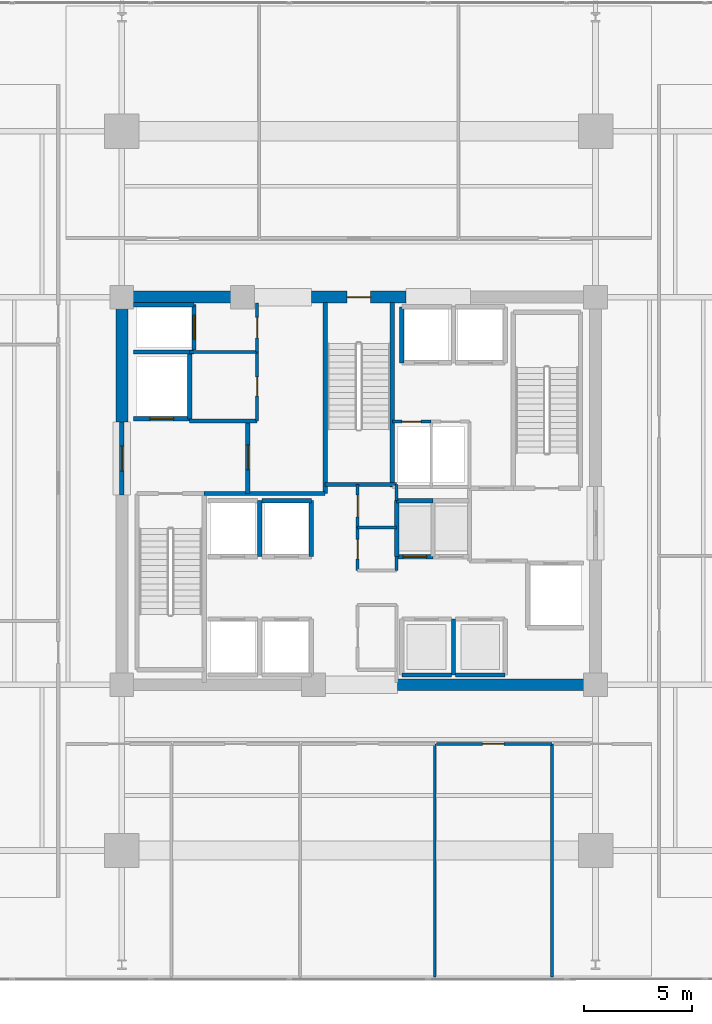
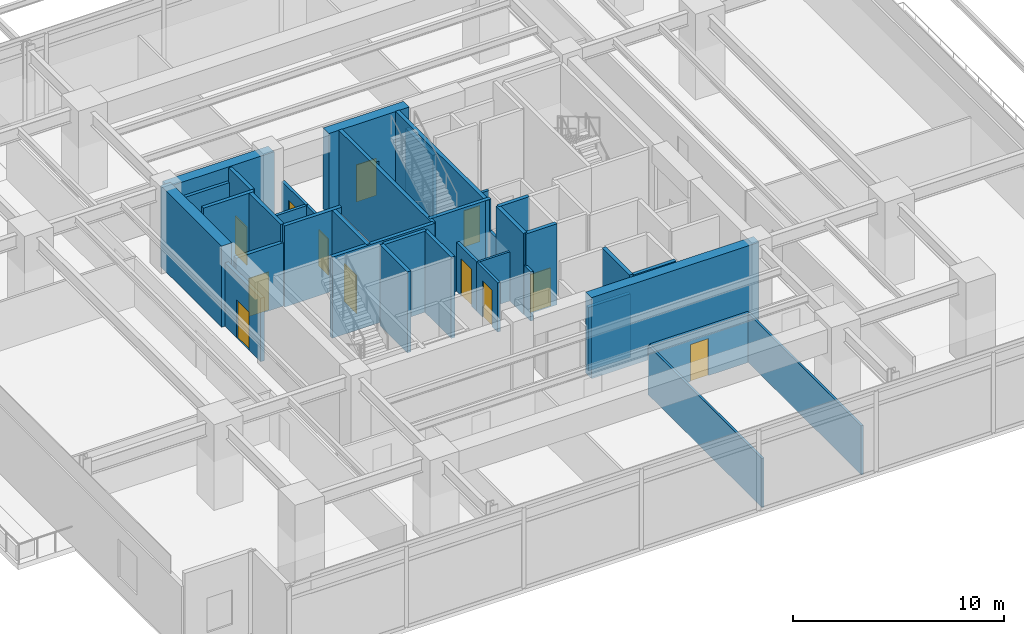
# One storey, part 17 of 24: 38 walls, 12 doors, 12 openings.
"""IFC4 building model written with IfcOpenShell, lengths in metres."""

from ifc_helpers import new_model, si_unit, direction, frame, frame_2d, origin, place, context, subcontext, project, spatial, rectangle, extrude, material, layer, layer_set, type_object, element, fill, save


model = new_model("IFC4")

# Units and contexts
model_context = context("Model", 3, precision=1e-05, world=origin(), true_north=direction((0.0, 1.0)))
body_context = subcontext(model_context, "Body", "Model", "MODEL_VIEW")
ifc_project = project(units=[si_unit("LENGTHUNIT", "METRE"), si_unit("AREAUNIT", "SQUARE_METRE"), si_unit("VOLUMEUNIT", "CUBIC_METRE"), si_unit("PLANEANGLEUNIT", "RADIAN"), si_unit("MASSUNIT", "GRAM", prefix="KILO")], contexts=[model_context])

# Site, building, storey
site_placement = place(None, origin())
site = spatial("IfcSite", under=ifc_project, at=site_placement, CompositionType="ELEMENT")
building_placement = place(site_placement, origin())
building = spatial("IfcBuilding", under=site, at=building_placement, Name="Kovane Verandah Tower", CompositionType="ELEMENT")
storey_placement = place(building_placement, frame((0.0, 0.0, 118.39990234375)))
storey = spatial("IfcBuildingStorey", under=building, at=storey_placement, Name="L27", CompositionType="ELEMENT", Elevation=118.39990234375)

# Walls
ifc_material_1 = material(Name="Fire-Rated Gypsum Stud Partition", Category="gypsum")
ifc_layer_1 = layer(ifc_material_1, 0.14990234375)
ifc_layer_set_1 = layer_set([ifc_layer_1], Name="Fire-Rated Gypsum Stud Partition")
wall_type_1 = type_object("IfcWallType", Name="WL-COR-150", PredefinedType="PARTITIONING", material=ifc_layer_set_1)
wall_1_placement = place(storey_placement, frame((41.760009765625, 23.800048828125, 0.0), z_axis=(0.0, 0.0, 1.0), x_axis=(0.0, 1.0, 0.0)))
element("IfcWall", 1, at=wall_1_placement, inside=storey, type_object=wall_type_1, Name="L27 Central Core Strip Middle East Wall", PredefinedType="PARTITIONING", context=body_context, shape_type="SweptSolid", body=[
    extrude(rectangle(XDim=0.64990234375, YDim=0.14990234375, at=frame_2d((0.324951171875, 0.0))), origin(), (0.0, 0.0, 1.0), 2.85009765625),
])
wall_2_placement = place(storey_placement, frame((41.760009765625, 27.050048828125, 0.0), z_axis=(0.0, 0.0, 1.0), x_axis=(0.0, 1.0, 0.0)))
element("IfcWall", 2, at=wall_2_placement, inside=storey, type_object=wall_type_1, Name="L27 Central Core Strip Upper East Wall", PredefinedType="PARTITIONING", context=body_context, shape_type="SweptSolid", body=[
    extrude(rectangle(XDim=0.75, YDim=0.14990234375, at=frame_2d((0.375, 0.0))), origin(), (0.0, 0.0, 1.0), 2.85009765625),
])

# Wall, opening, door
wall_3_placement = place(storey_placement, frame((39.949951171875, 23.800048828125, 0.0), z_axis=(0.0, 0.0, 1.0), x_axis=(0.0, 1.0, 0.0)))
wall_3 = element("IfcWall", 3, at=wall_3_placement, inside=storey, type_object=wall_type_1, Name="L27 Female Toilet Partition", PredefinedType="PARTITIONING", context=body_context, shape_type="SweptSolid", body=[
    extrude(rectangle(XDim=2.0, YDim=0.14990234375, at=frame_2d((1.0, 0.0))), origin(), (0.0, 0.0, 1.0), 2.85009765625),
])
opening_1_placement = place(wall_3_placement, frame((0.550048828125, 0.0, 0.0)))
opening_1 = element("IfcOpeningElement", 4, at=opening_1_placement, cuts=wall_3, Name="Opening DR-L27-026", PredefinedType="OPENING", context=body_context, shape_type="SweptSolid", body=[
    extrude(rectangle(XDim=0.89990234375, YDim=2.10009765625, at=frame_2d((0.449951171875, 1.050048828125))), frame((0.0, 0.074951171875, 0.0), z_axis=(0.0, -1.0, 0.0), x_axis=(1.0, 0.0, 0.0)), (0.0, 0.0, 1.0), 0.14990234375),
])
ifc_material_2 = material(Name="Moisture-Resistant Laminate Washroom Door", Category="wood")
door_type_1 = type_object("IfcDoorType", Name="DR-WC-900", OperationType="SINGLE_SWING_LEFT", PredefinedType="DOOR", material=ifc_material_2)
door_1_placement = place(opening_1_placement, origin())
door_1 = element("IfcDoor", 5, at=door_1_placement, inside=storey, type_object=door_type_1, Name="L27 Female Toilet Door", OperationType="SINGLE_SWING_LEFT", OverallHeight=2.10009765625, OverallWidth=0.89990234375, PredefinedType="DOOR", context=body_context, shape_type="SweptSolid", body=[
    extrude(rectangle(XDim=0.89990234375, YDim=2.10009765625, at=frame_2d((0.449951171875, 1.050048828125))), frame((0.0, 0.02490234375, 0.0), z_axis=(0.0, -1.0, 0.0), x_axis=(1.0, 0.0, 0.0)), (0.0, 0.0, 1.0), 0.050048828125),
])
fill(opening_1, door_1)

wall_4_placement = place(storey_placement, frame((39.949951171875, 25.800048828125, 0.0), z_axis=(0.0, 0.0, 1.0), x_axis=(0.0, 1.0, 0.0)))
wall_4 = element("IfcWall", 6, at=wall_4_placement, inside=storey, type_object=wall_type_1, Name="L27 Central First Aid and Wellness Room Partition", PredefinedType="PARTITIONING", context=body_context, shape_type="SweptSolid", body=[
    extrude(rectangle(XDim=2.0, YDim=0.14990234375, at=frame_2d((1.0, 0.0))), origin(), (0.0, 0.0, 1.0), 2.85009765625),
])
opening_2_placement = place(wall_4_placement, frame((0.5, 0.0, 0.0)))
opening_2 = element("IfcOpeningElement", 7, at=opening_2_placement, cuts=wall_4, Name="Opening DR-L27-024", PredefinedType="OPENING", context=body_context, shape_type="SweptSolid", body=[
    extrude(rectangle(XDim=1.0, YDim=2.14990234375, at=frame_2d((0.5, 1.074951171875))), frame((0.0, 0.074951171875, 0.0), z_axis=(0.0, -1.0, 0.0), x_axis=(1.0, 0.0, 0.0)), (0.0, 0.0, 1.0), 0.14990234375),
])
ifc_material_3 = material(Name="FSC Spotted-Gum Timber Fire-Rated Office Door", Category="wood")
door_type_2 = type_object("IfcDoorType", Name="DR-OFF-1000", OperationType="SINGLE_SWING_LEFT", PredefinedType="DOOR", material=ifc_material_3)
door_2_placement = place(opening_2_placement, origin())
door_2 = element("IfcDoor", 8, at=door_2_placement, inside=storey, type_object=door_type_2, Name="L27 Central First Aid and Wellness Room Door", OperationType="SINGLE_SWING_RIGHT", OverallHeight=2.14990234375, OverallWidth=1.0, PredefinedType="DOOR", context=body_context, shape_type="SweptSolid", body=[
    extrude(rectangle(XDim=1.0, YDim=2.14990234375, at=frame_2d((0.5, 1.074951171875))), frame((0.0, 0.02490234375, 0.0), z_axis=(0.0, -1.0, 0.0), x_axis=(1.0, 0.0, 0.0)), (0.0, 0.0, 1.0), 0.050048828125),
])
fill(opening_2, door_2)

# Wall
wall_5_placement = place(storey_placement, frame((32.14990234375, 33.949951171875, 0.0), z_axis=(0.0, 0.0, 1.0), x_axis=(1.0, 0.0, 0.0)))
element("IfcWall", 9, at=wall_5_placement, inside=storey, type_object=wall_type_1, Name="L27 Goods Lift Lobby South Wall", PredefinedType="PARTITIONING", context=body_context, shape_type="SweptSolid", body=[
    extrude(rectangle(XDim=3.130126953125, YDim=0.14990234375, at=frame_2d((1.56494140625, 0.0))), origin(), (0.0, 0.0, 1.0), 2.85009765625),
])

# Wall, opening, door
wall_6_placement = place(storey_placement, frame((35.280029296875, 33.949951171875, 0.0), z_axis=(0.0, 0.0, 1.0), x_axis=(0.0, 1.0, 0.0)))
wall_6 = element("IfcWall", 10, at=wall_6_placement, inside=storey, type_object=wall_type_1, Name="L27 Goods Lift Lobby East Fire Partition", PredefinedType="PARTITIONING", context=body_context, shape_type="SweptSolid", body=[
    extrude(rectangle(XDim=2.27001953125, YDim=0.14990234375, at=frame_2d((1.135009765625, 0.0))), origin(), (0.0, 0.0, 1.0), 2.85009765625),
])
opening_3_placement = place(wall_6_placement, frame((0.659912109375, 0.0, 0.0)))
opening_3 = element("IfcOpeningElement", 11, at=opening_3_placement, cuts=wall_6, Name="Opening DR-L27-008", PredefinedType="OPENING", context=body_context, shape_type="SweptSolid", body=[
    extrude(rectangle(XDim=0.949951171875, YDim=2.14990234375, at=frame_2d((0.47509765625, 1.074951171875))), frame((0.0, 0.074951171875, 0.0), z_axis=(0.0, -1.0, 0.0), x_axis=(1.0, 0.0, 0.0)), (0.0, 0.0, 1.0), 0.14990234375),
])
ifc_material_4 = material(Name="Fire-Rated Steel Refuge and Lobby Door", Category="steel")
door_type_3 = type_object("IfcDoorType", Name="DR-FIRE-950", OperationType="SINGLE_SWING_LEFT", PredefinedType="DOOR", material=ifc_material_4)
door_3_placement = place(opening_3_placement, origin())
door_3 = element("IfcDoor", 12, at=door_3_placement, inside=storey, type_object=door_type_3, Name="L27 Goods Lift Lobby Fire Door", OperationType="SINGLE_SWING_LEFT", OverallHeight=2.14990234375, OverallWidth=0.949951171875, PredefinedType="DOOR", context=body_context, shape_type="SweptSolid", body=[
    extrude(rectangle(XDim=0.949951171875, YDim=2.14990234375, at=frame_2d((0.47509765625, 1.074951171875))), frame((0.0, 0.02490234375, 0.0), z_axis=(0.0, -1.0, 0.0), x_axis=(1.0, 0.0, 0.0)), (0.0, 0.0, 1.0), 0.050048828125),
])
fill(opening_3, door_3)

wall_7_placement = place(storey_placement, frame((35.280029296875, 30.75, 0.0), z_axis=(0.0, 0.0, 1.0), x_axis=(0.0, 1.0, 0.0)))
wall_7 = element("IfcWall", 13, at=wall_7_placement, inside=storey, type_object=wall_type_1, Name="L27 Accessible Unisex Toilet Partition", PredefinedType="PARTITIONING", context=body_context, shape_type="SweptSolid", body=[
    extrude(rectangle(XDim=3.199951171875, YDim=0.14990234375, at=frame_2d((1.60009765625, 0.0))), origin(), (0.0, 0.0, 1.0), 2.85009765625),
])
opening_4_placement = place(wall_7_placement, frame((1.14990234375, 0.0, 0.0)))
opening_4 = element("IfcOpeningElement", 14, at=opening_4_placement, cuts=wall_7, Name="Opening DR-L27-025", PredefinedType="OPENING", context=body_context, shape_type="SweptSolid", body=[
    extrude(rectangle(XDim=0.89990234375, YDim=2.10009765625, at=frame_2d((0.449951171875, 1.050048828125))), frame((0.0, 0.074951171875, 0.0), z_axis=(0.0, -1.0, 0.0), x_axis=(1.0, 0.0, 0.0)), (0.0, 0.0, 1.0), 0.14990234375),
])
door_4_placement = place(opening_4_placement, origin())
door_4 = element("IfcDoor", 15, at=door_4_placement, inside=storey, type_object=door_type_1, Name="L27 Accessible Unisex Toilet Door", OperationType="SINGLE_SWING_RIGHT", OverallHeight=2.10009765625, OverallWidth=0.89990234375, PredefinedType="DOOR", context=body_context, shape_type="SweptSolid", body=[
    extrude(rectangle(XDim=0.89990234375, YDim=2.10009765625, at=frame_2d((0.449951171875, 1.050048828125))), frame((0.0, 0.02490234375, 0.0), z_axis=(0.0, -1.0, 0.0), x_axis=(1.0, 0.0, 0.0)), (0.0, 0.0, 1.0), 0.050048828125),
])
fill(opening_4, door_4)

wall_8_placement = place(storey_placement, frame((41.56005859375, 30.719970703125, 0.0), z_axis=(0.0, 0.0, 1.0), x_axis=(1.0, 0.0, 0.0)))
wall_8 = element("IfcWall", 16, at=wall_8_placement, inside=storey, type_object=wall_type_1, Name="L27 Chilled Water Riser Room Partition", PredefinedType="PARTITIONING", context=body_context, shape_type="SweptSolid", body=[
    extrude(rectangle(XDim=1.800048828125, YDim=0.14990234375, at=frame_2d((0.89990234375, 0.0))), origin(), (0.0, 0.0, 1.0), 2.85009765625),
])
opening_5_placement = place(wall_8_placement, frame((0.4599609375, 0.0, 0.0)))
opening_5 = element("IfcOpeningElement", 17, at=opening_5_placement, cuts=wall_8, Name="Opening DR-L27-014", PredefinedType="OPENING", context=body_context, shape_type="SweptSolid", body=[
    extrude(rectangle(XDim=0.8798828125, YDim=2.10009765625, at=frame_2d((0.43994140625, 1.050048828125))), frame((0.0, 0.074951171875, 0.0), z_axis=(0.0, -1.0, 0.0), x_axis=(1.0, 0.0, 0.0)), (0.0, 0.0, 1.0), 0.14990234375),
])
ifc_material_5 = material(Name="Fire-Rated Steel Riser Access Door", Category="steel")
door_type_4 = type_object("IfcDoorType", Name="DR-RISER-880", OperationType="SINGLE_SWING_LEFT", PredefinedType="DOOR", material=ifc_material_5)
door_5_placement = place(opening_5_placement, origin())
door_5 = element("IfcDoor", 18, at=door_5_placement, inside=storey, type_object=door_type_4, Name="L27 Chilled Water Riser Room Door", OperationType="SINGLE_SWING_LEFT", OverallHeight=2.10009765625, OverallWidth=0.8798828125, PredefinedType="DOOR", context=body_context, shape_type="SweptSolid", body=[
    extrude(rectangle(XDim=0.8798828125, YDim=2.10009765625, at=frame_2d((0.43994140625, 1.050048828125))), frame((0.0, 0.02490234375, 0.0), z_axis=(0.0, -1.0, 0.0), x_axis=(1.0, 0.0, 0.0)), (0.0, 0.0, 1.0), 0.050048828125),
])
fill(opening_5, door_5)

wall_9_placement = place(storey_placement, frame((43.60595703125, 15.75, 0.0), z_axis=(0.0, 0.0, 1.0), x_axis=(1.0, 0.0, 0.0)))
wall_9 = element("IfcWall", 19, at=wall_9_placement, inside=storey, type_object=wall_type_1, Name="L27 Collaboration Hub S4 Corridor Partition", PredefinedType="PARTITIONING", context=body_context, shape_type="SweptSolid", body=[
    extrude(rectangle(XDim=5.3701171875, YDim=0.14990234375, at=frame_2d((2.68505859375, 0.0))), origin(), (0.0, 0.0, 1.0), 2.85009765625),
])
opening_6_placement = place(wall_9_placement, frame((2.14990234375, 0.0, 0.0)))
opening_6 = element("IfcOpeningElement", 20, at=opening_6_placement, cuts=wall_9, Name="Opening DR-L27-022", PredefinedType="OPENING", context=body_context, shape_type="SweptSolid", body=[
    extrude(rectangle(XDim=1.0, YDim=2.14990234375, at=frame_2d((0.5, 1.074951171875))), frame((0.0, 0.074951171875, 0.0), z_axis=(0.0, -1.0, 0.0), x_axis=(1.0, 0.0, 0.0)), (0.0, 0.0, 1.0), 0.14990234375),
])
door_6_placement = place(opening_6_placement, origin())
door_6 = element("IfcDoor", 21, at=door_6_placement, inside=storey, type_object=door_type_2, Name="L27 Collaboration Hub S4 Entrance Door", OperationType="SINGLE_SWING_LEFT", OverallHeight=2.14990234375, OverallWidth=1.0, PredefinedType="DOOR", context=body_context, shape_type="SweptSolid", body=[
    extrude(rectangle(XDim=1.0, YDim=2.14990234375, at=frame_2d((0.5, 1.074951171875))), frame((0.0, 0.02490234375, 0.0), z_axis=(0.0, -1.0, 0.0), x_axis=(1.0, 0.0, 0.0)), (0.0, 0.0, 1.0), 0.050048828125),
])
fill(opening_6, door_6)

# Walls
ifc_material_6 = material(Name="Concrete C60/75", Category="concrete")
ifc_layer_2 = layer(ifc_material_6, 0.550048828125)
ifc_layer_set_2 = layer_set([ifc_layer_2], Name="Concrete C60/75")
wall_type_2 = type_object("IfcWallType", Name="WL-CORE-550", PredefinedType="SHEAR", material=ifc_layer_set_2)
wall_10_placement = place(storey_placement, frame((41.800048828125, 18.5, 0.0), z_axis=(0.0, 0.0, 1.0), x_axis=(1.0, 0.0, 0.0)))
element("IfcWall", 22, at=wall_10_placement, inside=storey, type_object=wall_type_2, Name="L27 Core Shear Wall CS-2", PredefinedType="SHEAR", context=body_context, shape_type="SweptSolid", body=[
    extrude(rectangle(XDim=9.199951171875, YDim=0.550048828125, at=frame_2d((4.60009765625, 0.0))), origin(), (0.0, 0.0, 1.0), 4.7001953125),
])
wall_11_placement = place(storey_placement, frame((29.0, 36.5, 0.0), z_axis=(0.0, 0.0, 1.0), x_axis=(1.0, 0.0, 0.0)))
element("IfcWall", 23, at=wall_11_placement, inside=storey, type_object=wall_type_2, Name="L27 Core Shear Wall CN-1", PredefinedType="SHEAR", context=body_context, shape_type="SweptSolid", body=[
    extrude(rectangle(XDim=5.800048828125, YDim=0.550048828125, at=frame_2d((2.89990234375, 0.0))), origin(), (0.0, 0.0, 1.0), 4.7001953125),
])

# Wall, opening, door
wall_12_placement = place(storey_placement, frame((37.800048828125, 36.5, 0.0), z_axis=(0.0, 0.0, 1.0), x_axis=(1.0, 0.0, 0.0)))
wall_12 = element("IfcWall", 24, at=wall_12_placement, inside=storey, type_object=wall_type_2, Name="L27 Core Shear Wall CN-2", PredefinedType="SHEAR", context=body_context, shape_type="SweptSolid", body=[
    extrude(rectangle(XDim=4.39990234375, YDim=0.550048828125, at=frame_2d((2.199951171875, 0.0))), origin(), (0.0, 0.0, 1.0), 4.7001953125),
])
opening_7_placement = place(wall_12_placement, frame((1.64990234375, 0.0, 0.0)))
opening_7 = element("IfcOpeningElement", 25, at=opening_7_placement, cuts=wall_12, Name="Opening DR-L27-011", PredefinedType="OPENING", context=body_context, shape_type="SweptSolid", body=[
    extrude(rectangle(XDim=1.10009765625, YDim=2.14990234375, at=frame_2d((0.550048828125, 1.074951171875))), frame((0.0, 0.27490234375, 0.0), z_axis=(0.0, -1.0, 0.0), x_axis=(1.0, 0.0, 0.0)), (0.0, 0.0, 1.0), 0.550048828125),
])
ifc_material_7 = material(Name="Fire-Rated Steel Exit Door", Category="steel")
door_type_5 = type_object("IfcDoorType", Name="DR-STAIR-1100", OperationType="SINGLE_SWING_LEFT", PredefinedType="DOOR", material=ifc_material_7)
door_7_placement = place(opening_7_placement, origin())
door_7 = element("IfcDoor", 26, at=door_7_placement, inside=storey, type_object=door_type_5, Name="L27 ST-03 Fire Exit Stair Door", OperationType="SINGLE_SWING_LEFT", OverallHeight=2.14990234375, OverallWidth=1.10009765625, PredefinedType="DOOR", context=body_context, shape_type="SweptSolid", body=[
    extrude(rectangle(XDim=1.10009765625, YDim=2.14990234375, at=frame_2d((0.550048828125, 1.074951171875))), frame((0.0, 0.02490234375, 0.0), z_axis=(0.0, -1.0, 0.0), x_axis=(1.0, 0.0, 0.0)), (0.0, 0.0, 1.0), 0.050048828125),
])
fill(opening_7, door_7)

# Wall
wall_13_placement = place(storey_placement, frame((29.0, 30.699951171875, 0.0), z_axis=(0.0, 0.0, 1.0), x_axis=(0.0, 1.0, 0.0)))
element("IfcWall", 27, at=wall_13_placement, inside=storey, type_object=wall_type_2, Name="L27 Core Shear Wall CW-2", PredefinedType="SHEAR", context=body_context, shape_type="SweptSolid", body=[
    extrude(rectangle(XDim=5.800048828125, YDim=0.550048828125, at=frame_2d((2.89990234375, 0.0))), origin(), (0.0, 0.0, 1.0), 4.7001953125),
])

# Wall, opening, door
ifc_material_8 = material(Name="Concrete C45/55 Fire Wall", Category="concrete")
ifc_layer_3 = layer(ifc_material_8, 0.199951171875)
ifc_layer_set_3 = layer_set([ifc_layer_3], Name="Concrete C45/55 Fire Wall")
wall_type_3 = type_object("IfcWallType", Name="WL-FFL-200", PredefinedType="PARTITIONING", material=ifc_layer_set_3)
wall_14_placement = place(storey_placement, frame((34.85009765625, 27.3798828125, 0.0), z_axis=(0.0, 0.0, 1.0), x_axis=(0.0, 1.0, 0.0)))
wall_14 = element("IfcWall", 28, at=wall_14_placement, inside=storey, type_object=wall_type_3, Name="W-L27-FFLW-E", PredefinedType="PARTITIONING", context=body_context, shape_type="SweptSolid", body=[
    extrude(rectangle(XDim=3.3701171875, YDim=0.199951171875, at=frame_2d((1.68505859375, 0.0))), origin(), (0.0, 0.0, 1.0), 4.7001953125),
])
opening_8_placement = place(wall_14_placement, frame((1.110107421875, 0.0, 0.0)))
opening_8 = element("IfcOpeningElement", 29, at=opening_8_placement, cuts=wall_14, Name="Opening DR-L27-006", PredefinedType="OPENING", context=body_context, shape_type="SweptSolid", body=[
    extrude(rectangle(XDim=1.14990234375, YDim=2.199951171875, at=frame_2d((0.574951171875, 1.10009765625))), frame((0.0, 0.10009765625, 0.0), z_axis=(0.0, -1.0, 0.0), x_axis=(1.0, 0.0, 0.0)), (0.0, 0.0, 1.0), 0.199951171875),
])
ifc_material_9 = material(Name="Smoke-Sealed Firefighting Lobby Door", Category="steel")
door_type_6 = type_object("IfcDoorType", Name="DR-FFL-1150", OperationType="SINGLE_SWING_LEFT", PredefinedType="DOOR", material=ifc_material_9)
door_8_placement = place(opening_8_placement, origin())
door_8 = element("IfcDoor", 30, at=door_8_placement, inside=storey, type_object=door_type_6, Name="L27 West Firefighting Lobby Inner Door", OperationType="SINGLE_SWING_LEFT", OverallHeight=2.199951171875, OverallWidth=1.14990234375, PredefinedType="DOOR", context=body_context, shape_type="SweptSolid", body=[
    extrude(rectangle(XDim=1.14990234375, YDim=2.199951171875, at=frame_2d((0.574951171875, 1.10009765625))), frame((0.0, 0.02490234375, 0.0), z_axis=(0.0, -1.0, 0.0), x_axis=(1.0, 0.0, 0.0)), (0.0, 0.0, 1.0), 0.050048828125),
])
fill(opening_8, door_8)

wall_15_placement = place(storey_placement, frame((29.0, 27.300048828125, 0.0), z_axis=(0.0, 0.0, 1.0), x_axis=(0.0, 1.0, 0.0)))
wall_15 = element("IfcWall", 31, at=wall_15_placement, inside=storey, type_object=wall_type_3, Name="W-L27-FFLW-OUT", PredefinedType="PARTITIONING", context=body_context, shape_type="SweptSolid", body=[
    extrude(rectangle(XDim=3.39990234375, YDim=0.199951171875, at=frame_2d((1.699951171875, 0.0))), origin(), (0.0, 0.0, 1.0), 3.68017578125),
])
opening_9_placement = place(wall_15_placement, frame((1.125, 0.0, 0.0)))
opening_9 = element("IfcOpeningElement", 32, at=opening_9_placement, cuts=wall_15, Name="Opening DR-L27-007", PredefinedType="OPENING", context=body_context, shape_type="SweptSolid", body=[
    extrude(rectangle(XDim=1.14990234375, YDim=2.199951171875, at=frame_2d((0.574951171875, 1.10009765625))), frame((0.0, 0.10009765625, 0.0), z_axis=(0.0, -1.0, 0.0), x_axis=(1.0, 0.0, 0.0)), (0.0, 0.0, 1.0), 0.199951171875),
])
door_9_placement = place(opening_9_placement, origin())
door_9 = element("IfcDoor", 33, at=door_9_placement, inside=storey, type_object=door_type_6, Name="L27 West Firefighting Lobby Corridor Door", OperationType="SINGLE_SWING_RIGHT", OverallHeight=2.199951171875, OverallWidth=1.14990234375, PredefinedType="DOOR", context=body_context, shape_type="SweptSolid", body=[
    extrude(rectangle(XDim=1.14990234375, YDim=2.199951171875, at=frame_2d((0.574951171875, 1.10009765625))), frame((0.0, 0.02490234375, 0.0), z_axis=(0.0, -1.0, 0.0), x_axis=(1.0, 0.0, 0.0)), (0.0, 0.0, 1.0), 0.050048828125),
])
fill(opening_9, door_9)

# Walls
wall_16_placement = place(storey_placement, frame((32.820068359375, 27.3798828125, 0.0), z_axis=(0.0, 0.0, 1.0), x_axis=(1.0, 0.0, 0.0)))
element("IfcWall", 34, at=wall_16_placement, inside=storey, type_object=wall_type_3, Name="L27 West Firefighting Lobby South Fire Wall", PredefinedType="PARTITIONING", context=body_context, shape_type="SweptSolid", body=[
    extrude(rectangle(XDim=5.619873046875, YDim=0.199951171875, at=frame_2d((2.81005859375, 0.0))), origin(), (0.0, 0.0, 1.0), 4.7001953125),
])
wall_17_placement = place(storey_placement, frame((32.14990234375, 30.75, 0.0), z_axis=(0.0, 0.0, 1.0), x_axis=(1.0, 0.0, 0.0)))
element("IfcWall", 35, at=wall_17_placement, inside=storey, type_object=wall_type_3, Name="L27 West Firefighting Lobby North Fire Wall", PredefinedType="PARTITIONING", context=body_context, shape_type="SweptSolid", body=[
    extrude(rectangle(XDim=3.130126953125, YDim=0.199951171875, at=frame_2d((1.56494140625, 0.0))), origin(), (0.0, 0.0, 1.0), 4.7001953125),
])

# Wall, opening, door
ifc_material_10 = material(Name="Concrete C45/55 Lift Shaft Wall", Category="concrete")
ifc_layer_4 = layer(ifc_material_10, 0.199951171875)
ifc_layer_set_4 = layer_set([ifc_layer_4], Name="Concrete C45/55 Lift Shaft Wall")
wall_type_4 = type_object("IfcWallType", Name="WL-LIFT-200", PredefinedType="SOLIDWALL", material=ifc_layer_set_4)
wall_18_placement = place(storey_placement, frame((29.550048828125, 30.85009765625, 0.0), z_axis=(0.0, 0.0, 1.0), x_axis=(1.0, 0.0, 0.0)))
wall_18 = element("IfcWall", 36, at=wall_18_placement, inside=storey, type_object=wall_type_4, Name="L27 Lift FL-01 S Shaft Wall", PredefinedType="SOLIDWALL", context=body_context, shape_type="SweptSolid", body=[
    extrude(rectangle(XDim=2.599853515625, YDim=0.199951171875, at=frame_2d((1.2998046875, 0.0))), origin(), (0.0, 0.0, 1.0), 3.68017578125),
])
opening_10_placement = place(wall_18_placement, frame((0.75, 0.0, 0.0)))
opening_10 = element("IfcOpeningElement", 37, at=opening_10_placement, cuts=wall_18, Name="Opening LD-L27-001", PredefinedType="OPENING", context=body_context, shape_type="SweptSolid", body=[
    extrude(rectangle(XDim=1.10009765625, YDim=2.199951171875, at=frame_2d((0.550048828125, 1.10009765625))), frame((0.0, 0.10009765625, 0.0), z_axis=(0.0, -1.0, 0.0), x_axis=(1.0, 0.0, 0.0)), (0.0, 0.0, 1.0), 0.199951171875),
])
ifc_material_11 = material(Name="Brushed Stainless Steel Sliding Lift Landing Door", Category="steel")
door_type_7 = type_object("IfcDoorType", Name="DR-LIFT-1100", OperationType="SLIDING_TO_RIGHT", PredefinedType="DOOR", material=ifc_material_11)
door_10_placement = place(opening_10_placement, origin())
door_10 = element("IfcDoor", 38, at=door_10_placement, inside=storey, type_object=door_type_7, Name="L27 Lift FL-01 Sliding Landing Door", OperationType="SLIDING_TO_RIGHT", OverallHeight=2.199951171875, OverallWidth=1.10009765625, PredefinedType="DOOR", context=body_context, shape_type="SweptSolid", body=[
    extrude(rectangle(XDim=1.10009765625, YDim=2.199951171875, at=frame_2d((0.550048828125, 1.10009765625))), frame((0.0, 0.02490234375, 0.0), z_axis=(0.0, -1.0, 0.0), x_axis=(1.0, 0.0, 0.0)), (0.0, 0.0, 1.0), 0.050048828125),
])
fill(opening_10, door_10)

# Walls
wall_19_placement = place(storey_placement, frame((29.550048828125, 33.949951171875, 0.0), z_axis=(0.0, 0.0, 1.0), x_axis=(1.0, 0.0, 0.0)))
element("IfcWall", 39, at=wall_19_placement, inside=storey, type_object=wall_type_4, Name="L27 Lift FL-01 and GL-01 Shared Shaft Wall", PredefinedType="SOLIDWALL", context=body_context, shape_type="SweptSolid", body=[
    extrude(rectangle(XDim=2.800048828125, YDim=0.199951171875, at=frame_2d((1.39990234375, 0.0))), origin(), (0.0, 0.0, 1.0), 4.7001953125),
])
wall_20_placement = place(storey_placement, frame((32.14990234375, 30.85009765625, 0.0), z_axis=(0.0, 0.0, 1.0), x_axis=(0.0, 1.0, 0.0)))
element("IfcWall", 40, at=wall_20_placement, inside=storey, type_object=wall_type_4, Name="L27 Lift FL-01 E Shaft Wall", PredefinedType="SOLIDWALL", context=body_context, shape_type="SweptSolid", body=[
    extrude(rectangle(XDim=3.0, YDim=0.199951171875, at=frame_2d((1.5, 0.0))), origin(), (0.0, 0.0, 1.0), 4.7001953125),
])
wall_21_placement = place(storey_placement, frame((32.35009765625, 36.14990234375, 0.0), z_axis=(0.0, 0.0, 1.0), x_axis=(-1.0, 0.0, 0.0)))
element("IfcWall", 41, at=wall_21_placement, inside=storey, type_object=wall_type_4, Name="L27 Lift GL-01 N Shaft Wall", PredefinedType="SOLIDWALL", context=body_context, shape_type="SweptSolid", body=[
    extrude(rectangle(XDim=2.800048828125, YDim=0.199951171875, at=frame_2d((1.39990234375, 0.0))), origin(), (0.0, 0.0, 1.0), 3.910400390625),
])

# Wall, opening, door
wall_22_placement = place(storey_placement, frame((32.35009765625, 34.050048828125, 0.0), z_axis=(0.0, 0.0, 1.0), x_axis=(0.0, 1.0, 0.0)))
wall_22 = element("IfcWall", 42, at=wall_22_placement, inside=storey, type_object=wall_type_4, Name="L27 Lift GL-01 E Shaft Wall", PredefinedType="SOLIDWALL", context=body_context, shape_type="SweptSolid", body=[
    extrude(rectangle(XDim=2.099853515625, YDim=0.199951171875, at=frame_2d((1.0498046875, 0.0))), origin(), (0.0, 0.0, 1.0), 4.7001953125),
])
opening_11_placement = place(wall_22_placement, frame((0.5, 0.0, 0.0)))
opening_11 = element("IfcOpeningElement", 43, at=opening_11_placement, cuts=wall_22, Name="Opening LD-L27-003", PredefinedType="OPENING", context=body_context, shape_type="SweptSolid", body=[
    extrude(rectangle(XDim=1.10009765625, YDim=2.199951171875, at=frame_2d((0.550048828125, 1.10009765625))), frame((0.0, 0.10009765625, 0.0), z_axis=(0.0, -1.0, 0.0), x_axis=(1.0, 0.0, 0.0)), (0.0, 0.0, 1.0), 0.199951171875),
])
door_11_placement = place(opening_11_placement, origin())
door_11 = element("IfcDoor", 44, at=door_11_placement, inside=storey, type_object=door_type_7, Name="L27 Lift GL-01 Sliding Landing Door", OperationType="SLIDING_TO_RIGHT", OverallHeight=2.199951171875, OverallWidth=1.10009765625, PredefinedType="DOOR", context=body_context, shape_type="SweptSolid", body=[
    extrude(rectangle(XDim=1.10009765625, YDim=2.199951171875, at=frame_2d((0.550048828125, 1.10009765625))), frame((0.0, 0.02490234375, 0.0), z_axis=(0.0, -1.0, 0.0), x_axis=(1.0, 0.0, 0.0)), (0.0, 0.0, 1.0), 0.050048828125),
])
fill(opening_11, door_11)

# Walls
wall_23_placement = place(storey_placement, frame((35.39990234375, 24.449951171875, 0.0), z_axis=(0.0, 0.0, 1.0), x_axis=(0.0, 1.0, 0.0)))
element("IfcWall", 45, at=wall_23_placement, inside=storey, type_object=wall_type_4, Name="L27 Lift PL-L3 and PL-L4 Shared Shaft Wall", PredefinedType="SOLIDWALL", context=body_context, shape_type="SweptSolid", body=[
    extrude(rectangle(XDim=2.60009765625, YDim=0.199951171875, at=frame_2d((1.300048828125, 0.0))), origin(), (0.0, 0.0, 1.0), 4.7001953125),
])
wall_24_placement = place(storey_placement, frame((37.800048828125, 27.050048828125, 0.0), z_axis=(0.0, 0.0, 1.0), x_axis=(-1.0, 0.0, 0.0)))
element("IfcWall", 46, at=wall_24_placement, inside=storey, type_object=wall_type_4, Name="L27 Lift PL-L4 N Shaft Wall", PredefinedType="SOLIDWALL", context=body_context, shape_type="SweptSolid", body=[
    extrude(rectangle(XDim=2.300048828125, YDim=0.199951171875, at=frame_2d((1.14990234375, 0.0))), origin(), (0.0, 0.0, 1.0), 4.7001953125),
])
wall_25_placement = place(storey_placement, frame((37.800048828125, 24.449951171875, 0.0), z_axis=(0.0, 0.0, 1.0), x_axis=(0.0, 1.0, 0.0)))
element("IfcWall", 47, at=wall_25_placement, inside=storey, type_object=wall_type_4, Name="L27 Lift PL-L4 E Shaft Wall", PredefinedType="SOLIDWALL", context=body_context, shape_type="SweptSolid", body=[
    extrude(rectangle(XDim=2.60009765625, YDim=0.199951171875, at=frame_2d((1.300048828125, 0.0))), origin(), (0.0, 0.0, 1.0), 4.7001953125),
])
wall_26_placement = place(storey_placement, frame((42.0, 18.949951171875, 0.0), z_axis=(0.0, 0.0, 1.0), x_axis=(1.0, 0.0, 0.0)))
element("IfcWall", 48, at=wall_26_placement, inside=storey, type_object=wall_type_4, Name="L27 Lift PL-M1 S Shaft Wall", PredefinedType="SOLIDWALL", context=body_context, shape_type="SweptSolid", body=[
    extrude(rectangle(XDim=2.300048828125, YDim=0.199951171875, at=frame_2d((1.14990234375, 0.0))), origin(), (0.0, 0.0, 1.0), 3.68017578125),
])
wall_27_placement = place(storey_placement, frame((44.39990234375, 18.949951171875, 0.0), z_axis=(0.0, 0.0, 1.0), x_axis=(0.0, 1.0, 0.0)))
element("IfcWall", 49, at=wall_27_placement, inside=storey, type_object=wall_type_4, Name="L27 Lift PL-M1 and PL-M2 Shared Shaft Wall", PredefinedType="SOLIDWALL", context=body_context, shape_type="SweptSolid", body=[
    extrude(rectangle(XDim=2.60009765625, YDim=0.199951171875, at=frame_2d((1.300048828125, 0.0))), origin(), (0.0, 0.0, 1.0), 4.7001953125),
])
wall_28_placement = place(storey_placement, frame((44.5, 18.949951171875, 0.0), z_axis=(0.0, 0.0, 1.0), x_axis=(1.0, 0.0, 0.0)))
element("IfcWall", 50, at=wall_28_placement, inside=storey, type_object=wall_type_4, Name="L27 Lift PL-M2 S Shaft Wall", PredefinedType="SOLIDWALL", context=body_context, shape_type="SweptSolid", body=[
    extrude(rectangle(XDim=2.300048828125, YDim=0.199951171875, at=frame_2d((1.14990234375, 0.0))), origin(), (0.0, 0.0, 1.0), 4.7001953125),
])

# Wall, opening, door
wall_29_placement = place(storey_placement, frame((41.760009765625, 24.449951171875, 0.0), z_axis=(0.0, 0.0, 1.0), x_axis=(1.0, 0.0, 0.0)))
wall_29 = element("IfcWall", 51, at=wall_29_placement, inside=storey, type_object=wall_type_4, Name="L27 Lift PL-M3 S Shaft Wall", PredefinedType="SOLIDWALL", context=body_context, shape_type="SweptSolid", body=[
    extrude(rectangle(XDim=1.679931640625, YDim=0.199951171875, at=frame_2d((0.83984375, 0.0))), origin(), (0.0, 0.0, 1.0), 4.7001953125),
])
opening_12_placement = place(wall_29_placement, frame((0.2900390625, 0.0, 0.0)))
opening_12 = element("IfcOpeningElement", 52, at=opening_12_placement, cuts=wall_29, Name="Opening LD-L27-011", PredefinedType="OPENING", context=body_context, shape_type="SweptSolid", body=[
    extrude(rectangle(XDim=1.10009765625, YDim=2.199951171875, at=frame_2d((0.550048828125, 1.10009765625))), frame((0.0, 0.10009765625, 0.0), z_axis=(0.0, -1.0, 0.0), x_axis=(1.0, 0.0, 0.0)), (0.0, 0.0, 1.0), 0.199951171875),
])
door_12_placement = place(opening_12_placement, origin())
door_12 = element("IfcDoor", 53, at=door_12_placement, inside=storey, type_object=door_type_7, Name="L27 Lift PL-M3 Sliding Landing Door", OperationType="SLIDING_TO_RIGHT", OverallHeight=2.199951171875, OverallWidth=1.10009765625, PredefinedType="DOOR", context=body_context, shape_type="SweptSolid", body=[
    extrude(rectangle(XDim=1.10009765625, YDim=2.199951171875, at=frame_2d((0.550048828125, 1.10009765625))), frame((0.0, 0.02490234375, 0.0), z_axis=(0.0, -1.0, 0.0), x_axis=(1.0, 0.0, 0.0)), (0.0, 0.0, 1.0), 0.050048828125),
])
fill(opening_12, door_12)

# Walls
wall_30_placement = place(storey_placement, frame((43.43994140625, 27.050048828125, 0.0), z_axis=(0.0, 0.0, 1.0), x_axis=(-1.0, 0.0, 0.0)))
element("IfcWall", 54, at=wall_30_placement, inside=storey, type_object=wall_type_4, Name="L27 Lift PL-M3 N Shaft Wall", PredefinedType="SOLIDWALL", context=body_context, shape_type="SweptSolid", body=[
    extrude(rectangle(XDim=1.679931640625, YDim=0.199951171875, at=frame_2d((0.83984375, 0.0))), origin(), (0.0, 0.0, 1.0), 4.7001953125),
])
wall_31_placement = place(storey_placement, frame((41.760009765625, 27.050048828125, 0.0), z_axis=(0.0, 0.0, 1.0), x_axis=(0.0, -1.0, 0.0)))
element("IfcWall", 55, at=wall_31_placement, inside=storey, type_object=wall_type_4, Name="L27 Lift PL-M3 W Shaft Wall", PredefinedType="SOLIDWALL", context=body_context, shape_type="SweptSolid", body=[
    extrude(rectangle(XDim=2.60009765625, YDim=0.199951171875, at=frame_2d((1.300048828125, 0.0))), origin(), (0.0, 0.0, 1.0), 4.7001953125),
])
wall_32_placement = place(storey_placement, frame((42.0, 36.050048828125, 0.0), z_axis=(0.0, 0.0, 1.0), x_axis=(0.0, -1.0, 0.0)))
element("IfcWall", 56, at=wall_32_placement, inside=storey, type_object=wall_type_4, Name="L27 Lift SL-01 W Shaft Wall", PredefinedType="SOLIDWALL", context=body_context, shape_type="SweptSolid", body=[
    extrude(rectangle(XDim=2.60009765625, YDim=0.199951171875, at=frame_2d((1.300048828125, 0.0))), origin(), (0.0, 0.0, 1.0), 3.68017578125),
])
ifc_material_12 = material(Name="Acoustic Fire-Rated Gypsum Partition", Category="gypsum")
ifc_layer_5 = layer(ifc_material_12, 0.1201171875)
ifc_layer_set_5 = layer_set([ifc_layer_5], Name="Acoustic Fire-Rated Gypsum Partition")
wall_type_5 = type_object("IfcWallType", Name="WL-PART-120", PredefinedType="PARTITIONING", material=ifc_layer_set_5)
wall_33_placement = place(storey_placement, frame((39.949951171875, 25.800048828125, 0.0), z_axis=(0.0, 0.0, 1.0), x_axis=(1.0, 0.0, 0.0)))
element("IfcWall", 57, at=wall_33_placement, inside=storey, type_object=wall_type_5, Name="L27 Central Core Strip Upper Dividing Partition", PredefinedType="PARTITIONING", context=body_context, shape_type="SweptSolid", body=[
    extrude(rectangle(XDim=1.81005859375, YDim=0.1201171875, at=frame_2d((0.905029296875, 0.0))), origin(), (0.0, 0.0, 1.0), 2.85009765625),
])
for number, where, z_axis, x_axis, name in (
    (58, (43.535888671875, 4.92919921875, 0.0), (0.0, 0.0, 1.0), (0.0, 1.0, 0.0), "L27 Breakout Pantry S3 Dividing Partition"),
    (59, (48.97607421875, 4.92919921875, 0.0), (0.0, 0.0, 1.0), (0.0, 1.0, 0.0), "L27 Collaboration Hub S4 Dividing Partition"),
):
    element("IfcWall", number, at=place(storey_placement, frame(where, z_axis=z_axis, x_axis=x_axis)), inside=storey, type_object=wall_type_5, Name=name, PredefinedType="PARTITIONING", context=body_context, shape_type="SweptSolid", body=[
        extrude(rectangle(XDim=10.82080078125, YDim=0.1201171875, at=frame_2d((5.410400390625, 0.0))), origin(), (0.0, 0.0, 1.0), 2.85009765625),
    ])
ifc_material_13 = material(Name="Concrete C45/55", Category="concrete")
ifc_layer_6 = layer(ifc_material_13, 0.199951171875)
ifc_layer_set_6 = layer_set([ifc_layer_6], Name="Concrete C45/55")
wall_type_6 = type_object("IfcWallType", Name="WL-SHAFT-200", PredefinedType="SOLIDWALL", material=ifc_layer_set_6)
wall_34_placement = place(storey_placement, frame((38.43994140625, 27.3798828125, 0.0), z_axis=(0.0, 0.0, 1.0), x_axis=(0.0, 1.0, 0.0)))
element("IfcWall", 60, at=wall_34_placement, inside=storey, type_object=wall_type_6, Name="W-L27-ST03-W", PredefinedType="SOLIDWALL", context=body_context, shape_type="SweptSolid", body=[
    extrude(rectangle(XDim=8.8701171875, YDim=0.199951171875, at=frame_2d((4.43505859375, 0.0))), origin(), (0.0, 0.0, 1.0), 4.7001953125),
])
wall_35_placement = place(storey_placement, frame((41.56005859375, 27.679931640625, 0.0), z_axis=(0.0, 0.0, 1.0), x_axis=(0.0, 1.0, 0.0)))
element("IfcWall", 61, at=wall_35_placement, inside=storey, type_object=wall_type_6, Name="W-L27-ST03-E", PredefinedType="SOLIDWALL", context=body_context, shape_type="SweptSolid", body=[
    extrude(rectangle(XDim=8.570068359375, YDim=0.199951171875, at=frame_2d((4.28515625, 0.0))), origin(), (0.0, 0.0, 1.0), 4.7001953125),
])
wall_36_placement = place(storey_placement, frame((38.43994140625, 27.800048828125, 0.0), z_axis=(0.0, 0.0, 1.0), x_axis=(1.0, 0.0, 0.0)))
element("IfcWall", 62, at=wall_36_placement, inside=storey, type_object=wall_type_6, Name="W-L27-ST03-S", PredefinedType="SOLIDWALL", context=body_context, shape_type="SweptSolid", body=[
    extrude(rectangle(XDim=3.320068359375, YDim=0.199951171875, at=frame_2d((1.66015625, 0.0))), origin(), (0.0, 0.0, 1.0), 4.7001953125),
])

save(model, "model.ifc")
